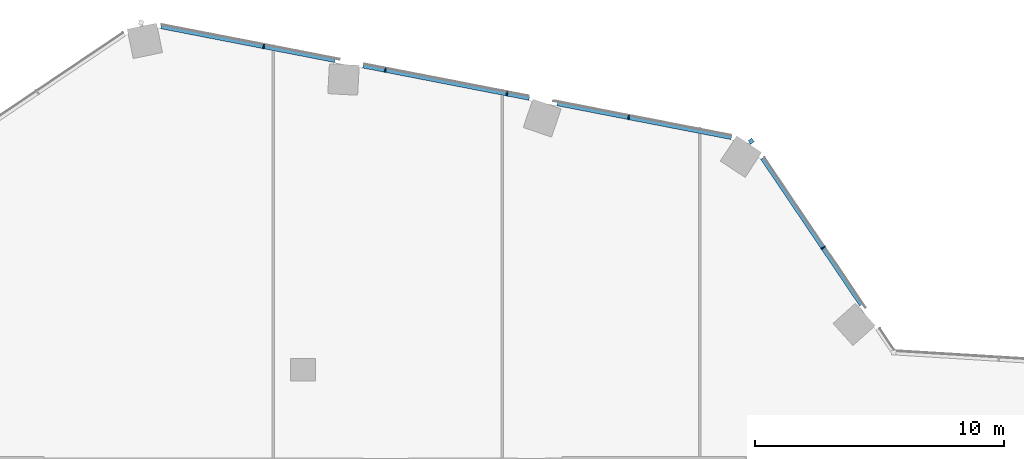
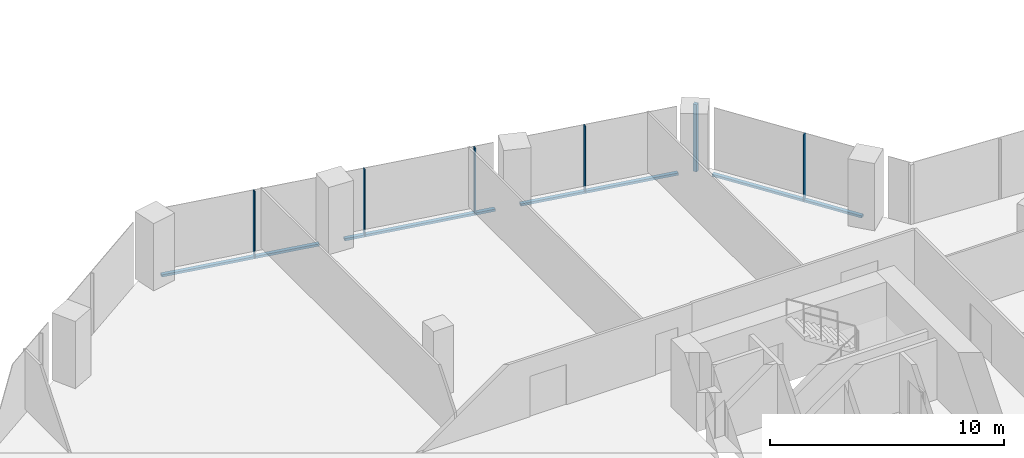
# One storey, part 12 of 26: 10 members, 2 elements without a shape of their own.
"""IFC4 building model written with IfcOpenShell, lengths in metres."""

import ifcopenshell
import ifcopenshell.guid

model = None  # the IFC model being written
_history = None  # IfcOwnerHistory: only IFC2X3 demands one
_inside = {}  # id of a spatial element -> (the spatial element, [elements in it])
_under = {}  # id of a project, library or spatial element -> (it, [spatial elements below it])
_declared = {}  # id of a project -> (the project, [libraries it declares])
_typed = {}  # id of a type object -> (the type object, [elements of that type])
_made_of = {}  # id of a material, layer set ... -> (it, [elements and type objects made of it])


def new_model(schema):
    """Start an empty IFC model of exactly this schema.

    Asked for "IFC4X3", IfcOpenShell would pick the latest addendum, in which some entities
    have other attributes; the version numbers below select the first issue.
    IFC2X3 requires an IfcOwnerHistory on every rooted entity: one is made here for all.
    """
    global model, _history
    if schema == "IFC4X3":
        model = ifcopenshell.file(schema_version=(4, 3, 0, 0))
    else:
        model = ifcopenshell.file(schema=schema)
    _inside.clear()
    _under.clear()
    _declared.clear()
    _typed.clear()
    _made_of.clear()
    _history = None
    if model.schema == "IFC2X3":
        org = make("IfcOrganization", Name="unknown")
        user = make(
            "IfcPersonAndOrganization",
            ThePerson=make("IfcPerson", FamilyName="unknown"),
            TheOrganization=org,
        )
        app = make(
            "IfcApplication",
            ApplicationDeveloper=org,
            Version="unknown",
            ApplicationFullName="unknown",
            ApplicationIdentifier="unknown",
        )
        _history = make(
            "IfcOwnerHistory",
            OwningUser=user,
            OwningApplication=app,
            ChangeAction="ADDED",
            CreationDate=0,
        )
    return model


def make(cls, **values):
    """One entity of the class cls with the attributes given. An attribute that is None is left unset."""
    return model.create_entity(
        cls, **{name: value for name, value in values.items() if value is not None}
    )


def rooted(cls, **values):
    """An entity with a GlobalId (a new one), such as an element, a storey or a relation."""
    return make(cls, GlobalId=ifcopenshell.guid.new(), OwnerHistory=_history, **values)


def si_unit(unit_type, name, prefix=None):
    """IfcSIUnit, for example si_unit("LENGTHUNIT", "METRE", prefix="MILLI")."""
    return make("IfcSIUnit", UnitType=unit_type, Prefix=prefix, Name=name)


def assignment(units):
    """IfcUnitAssignment: the units of a project."""
    return None if units is None else make("IfcUnitAssignment", Units=units)


def point(xyz):
    """IfcCartesianPoint."""
    return None if xyz is None else make("IfcCartesianPoint", Coordinates=xyz)


def direction(xyz):
    """IfcDirection."""
    return None if xyz is None else make("IfcDirection", DirectionRatios=xyz)


def frame(location, z_axis=None, x_axis=None):
    """IfcAxis2Placement3D, a coordinate frame: its origin and axes. An axis left out is left unset."""
    return make(
        "IfcAxis2Placement3D",
        Location=point(location),
        Axis=direction(z_axis),
        RefDirection=direction(x_axis),
    )


def frame_2d(location, x_axis=None):
    """IfcAxis2Placement2D, a coordinate frame in the plane: its origin and x axis."""
    return make(
        "IfcAxis2Placement2D", Location=point(location), RefDirection=direction(x_axis)
    )


def origin():
    """The frame at (0, 0, 0) with its axes left unset."""
    return frame((0.0, 0.0, 0.0))


def origin_2d():
    """The frame at (0, 0) in the plane with its x axis left unset."""
    return frame_2d((0.0, 0.0))


def place(relative_to, where):
    """IfcLocalPlacement: puts the frame where relative to a parent placement (None: the world)."""
    return make(
        "IfcLocalPlacement", PlacementRelTo=relative_to, RelativePlacement=where
    )


def context(
    kind, dimensions, precision=None, world=None, true_north=None, identifier=None
):
    """IfcGeometricRepresentationContext, for example the 3D "Model" context."""
    return make(
        "IfcGeometricRepresentationContext",
        ContextIdentifier=identifier,
        ContextType=kind,
        CoordinateSpaceDimension=dimensions,
        Precision=precision,
        WorldCoordinateSystem=world,
        TrueNorth=true_north,
    )


def subcontext(parent, identifier, kind, view, scale=None):
    """IfcGeometricRepresentationSubContext, for example "Body" below "Model"."""
    return make(
        "IfcGeometricRepresentationSubContext",
        ContextIdentifier=identifier,
        ContextType=kind,
        ParentContext=parent,
        TargetScale=scale,
        TargetView=view,
    )


def project(units=None, contexts=None):
    """IfcProject with its units and contexts."""
    return rooted(
        "IfcProject",
        Name="project",
        RepresentationContexts=contexts,
        UnitsInContext=assignment(units),
    )


def spatial(cls, under=None, at=None, **own):
    """A site, building, storey or space (cls), placed at a placement, below another one or the project."""
    s = rooted(cls, ObjectPlacement=at, **own)
    if under is not None:
        _under.setdefault(under.id(), (under, []))[1].append(s)
    return s


def profile(cls, at=None, kind="AREA", **sizes):
    """A parametric profile (cls). Its sizes go by their IFC names, for example OverallWidth=200.0."""
    return make(cls, ProfileType=kind, Position=at, **sizes)


def rectangle(**sizes):
    """IfcRectangleProfileDef."""
    return profile("IfcRectangleProfileDef", **sizes)


def extrude(swept, where, along, depth):
    """IfcExtrudedAreaSolid: the profile swept, set in the frame where, extruded along a direction by depth."""
    return make(
        "IfcExtrudedAreaSolid",
        SweptArea=swept,
        Position=where,
        ExtrudedDirection=direction(along),
        Depth=depth,
    )


def shape(context_of_items, identifier, shape_type, items):
    """IfcShapeRepresentation: the items that make up one representation, for example the "Body"."""
    return make(
        "IfcShapeRepresentation",
        ContextOfItems=context_of_items,
        RepresentationIdentifier=identifier,
        RepresentationType=shape_type,
        Items=items,
    )


def material(Name=None, Category=None):
    """IfcMaterial."""
    return make("IfcMaterial", Name=Name, Category=Category)


def material_profile(
    of_material, cross_section, Name=None, Category=None, Priority=None
):
    """IfcMaterialProfile: a cross section and its material."""
    return make(
        "IfcMaterialProfile",
        Name=Name,
        Material=of_material,
        Profile=cross_section,
        Priority=Priority,
        Category=Category,
    )


def profile_set(profiles, Name=None, composite=None):
    """IfcMaterialProfileSet."""
    return make(
        "IfcMaterialProfileSet",
        Name=Name,
        MaterialProfiles=profiles,
        CompositeProfile=composite,
    )


def made_of(thing, what):
    """Note that an element or type object is made of a material, layer set ...; save() writes the relation."""
    if what is not None:
        _made_of.setdefault(what.id(), (what, []))[1].append(thing)
    return thing


def type_object(cls, material=None, **own):
    """A type object (cls), such as IfcWallType, which elements share."""
    return made_of(rooted(cls, **own), material)


def element(
    cls,
    number,
    at=None,
    inside=None,
    cuts=None,
    type_object=None,
    material=None,
    context=None,
    identifier="Body",
    shape_type=None,
    held_by="IfcProductDefinitionShape",
    body=None,
    shapes=None,
    **own,
):
    """One element of the class cls, such as IfcWall. Its Tag is "e" and its number.

    at: its placement. inside: the storey or other place that contains it. cuts: it is an
    opening in that element (IfcRelVoidsElement). A single representation is given by context,
    identifier, shape_type and body (its items); several are given by shapes. held_by: the class
    of the entity that holds the representations. save() writes the other relations.
    """
    e = rooted(cls, Tag="e%d" % number, ObjectPlacement=at, **own)
    if body is not None:
        shapes = [shape(context, identifier, shape_type, body)]
    if shapes is not None:
        e.Representation = make(held_by, Representations=shapes)
    if inside is not None:
        _inside.setdefault(inside.id(), (inside, []))[1].append(e)
    if cuts is not None:
        rooted(
            "IfcRelVoidsElement", RelatingBuildingElement=cuts, RelatedOpeningElement=e
        )
    if type_object is not None:
        _typed.setdefault(type_object.id(), (type_object, []))[1].append(e)
    return made_of(e, material)


def aggregate(whole, parts):
    """IfcRelAggregates: a whole, such as a stair, and the parts it consists of."""
    return rooted("IfcRelAggregates", RelatingObject=whole, RelatedObjects=parts)


def save(model, path):
    """Write the relations noted so far, then the file.

    IfcRelAggregates (storeys below a building ...), IfcRelContainedInSpatialStructure (elements
    in a storey), IfcRelDefinesByType, IfcRelAssociatesMaterial and IfcRelDeclares: one each for
    every whole, place, type object, material and project.
    """
    for whole, parts in _under.values():
        aggregate(whole, parts)
    for where, things in _inside.values():
        rooted(
            "IfcRelContainedInSpatialStructure",
            RelatedElements=things,
            RelatingStructure=where,
        )
    for kind, things in _typed.values():
        rooted("IfcRelDefinesByType", RelatedObjects=things, RelatingType=kind)
    for what, things in _made_of.values():
        rooted("IfcRelAssociatesMaterial", RelatedObjects=things, RelatingMaterial=what)
    for by, libraries in _declared.values():
        rooted("IfcRelDeclares", RelatingContext=by, RelatedDefinitions=libraries)
    model.write(path)


model = new_model("IFC4")

# Units and contexts
model_context = context("Model", 3, precision=1e-05, world=origin(), true_north=direction((0.0, 1.0)))
body_context = subcontext(model_context, "Body", "Model", "MODEL_VIEW")
ifc_project = project(units=[si_unit("LENGTHUNIT", "METRE"), si_unit("AREAUNIT", "SQUARE_METRE"), si_unit("VOLUMEUNIT", "CUBIC_METRE"), si_unit("PLANEANGLEUNIT", "RADIAN"), si_unit("MASSUNIT", "GRAM", prefix="KILO")], contexts=[model_context])

# Site, building, storey
site_placement = place(None, origin())
site = spatial("IfcSite", under=ifc_project, at=site_placement, CompositionType="ELEMENT")
building_placement = place(site_placement, origin())
building = spatial("IfcBuilding", under=site, at=building_placement, Name="Orlundy Tower", CompositionType="ELEMENT")
storey_placement = place(building_placement, frame((0.0, 0.0, 156.10009765625)))
storey = spatial("IfcBuildingStorey", under=building, at=storey_placement, Name="L40", CompositionType="ELEMENT", Elevation=156.10009765625)

# Curtain wall, member
ifc_material_1 = material(Name="Aluminium bronze anodised", Category="aluminium")
curtain_wall_type = type_object("IfcCurtainWallType", Name="CW1 wall", PredefinedType="NOTDEFINED", material=ifc_material_1)
curtain_wall_1_placement = place(storey_placement, origin())
curtain_wall_1 = element("IfcCurtainWall", 1, at=curtain_wall_1_placement, inside=storey, type_object=curtain_wall_type, Name="CW1 run 05", PredefinedType="NOTDEFINED")
ifc_material_2 = material(Name="Aluminium bronze anodised", Category="aluminium")
ifc_material_profile_1 = material_profile(ifc_material_2, rectangle(XDim=0.179931640625, YDim=0.179931640625, at=origin_2d()), Name="CW1 corner post 180x180")
ifc_profile_set_1 = profile_set([ifc_material_profile_1], Name="Aluminium bronze anodised")
member_type_1 = type_object("IfcMemberType", Name="CW1 corner post 180x180", PredefinedType="MULLION", material=ifc_profile_set_1)
member_1_placement = place(storey_placement, frame((17.975830078125, 27.1591796875, -0.400146484375), z_axis=(0.0, 0.0, 1.0), x_axis=(0.829017365471, 0.559222860538, 0.0)))
member_1 = element("IfcMember", 2, at=member_1_placement, type_object=member_type_1, Name="CW1 mullion 24", PredefinedType="MULLION", context=body_context, shape_type="SweptSolid", body=[
    extrude(rectangle(XDim=0.179931640625, YDim=0.179931640625, at=origin_2d()), origin(), (0.0, 0.0, 1.0), 3.5),
])

# Curtain wall, members
curtain_wall_2_placement = place(storey_placement, origin())
curtain_wall_2 = element("IfcCurtainWall", 3, at=curtain_wall_2_placement, inside=storey, type_object=curtain_wall_type, Name="CW1 run 04", PredefinedType="NOTDEFINED")
ifc_material_3 = material(Name="Aluminium bronze anodised", Category="aluminium")
ifc_material_profile_2 = material_profile(ifc_material_3, rectangle(XDim=0.179931640625, YDim=0.050048828125, at=origin_2d()), Name="CW1 mullion 50x180")
ifc_profile_set_2 = profile_set([ifc_material_profile_2], Name="Aluminium bronze anodised")
member_type_2 = type_object("IfcMemberType", Name="CW1 mullion 50x180", PredefinedType="MULLION", material=ifc_profile_set_2)
member_2_placement = place(storey_placement, frame((-1.57763671875, 30.9599609375, -0.400146484375), z_axis=(0.0, 0.0, 1.0), x_axis=(0.19080503976, 0.981627952333, 0.0)))
member_2 = element("IfcMember", 4, at=member_2_placement, type_object=member_type_2, Name="CW1 mullion 20", PredefinedType="MULLION", context=body_context, shape_type="SweptSolid", body=[
    extrude(rectangle(XDim=0.179931640625, YDim=0.050048828125, at=origin_2d()), origin(), (0.0, 0.0, 1.0), 3.5),
])
member_3_placement = place(storey_placement, frame((3.301513671875, 30.011474609375, -0.400146484375), z_axis=(0.0, 0.0, 1.0), x_axis=(0.19080503976, 0.981627952333, 0.0)))
member_3 = element("IfcMember", 5, at=member_3_placement, type_object=member_type_2, Name="CW1 mullion 21", PredefinedType="MULLION", context=body_context, shape_type="SweptSolid", body=[
    extrude(rectangle(XDim=0.179931640625, YDim=0.050048828125, at=origin_2d()), origin(), (0.0, 0.0, 1.0), 3.5),
])
member_4_placement = place(storey_placement, frame((8.1806640625, 29.063232421875, -0.400146484375), z_axis=(0.0, 0.0, 1.0), x_axis=(0.19080503976, 0.981627952333, 0.0)))
member_4 = element("IfcMember", 6, at=member_4_placement, type_object=member_type_2, Name="CW1 mullion 22", PredefinedType="MULLION", context=body_context, shape_type="SweptSolid", body=[
    extrude(rectangle(XDim=0.179931640625, YDim=0.050048828125, at=origin_2d()), origin(), (0.0, 0.0, 1.0), 3.5),
])
member_5_placement = place(storey_placement, frame((13.06005859375, 28.11474609375, -0.400146484375), z_axis=(0.0, 0.0, 1.0), x_axis=(0.19080503976, 0.981627952333, 0.0)))
member_5 = element("IfcMember", 7, at=member_5_placement, type_object=member_type_2, Name="CW1 mullion 23", PredefinedType="MULLION", context=body_context, shape_type="SweptSolid", body=[
    extrude(rectangle(XDim=0.179931640625, YDim=0.050048828125, at=origin_2d()), origin(), (0.0, 0.0, 1.0), 3.5),
])

# Member
member_6_placement = place(storey_placement, frame((20.859130859375, 22.884765625, -0.400146484375), z_axis=(0.0, 0.0, 1.0), x_axis=(0.829017365471, 0.559222860538, 0.0)))
member_6 = element("IfcMember", 8, at=member_6_placement, type_object=member_type_2, Name="CW1 mullion 25", PredefinedType="MULLION", context=body_context, shape_type="SweptSolid", body=[
    extrude(rectangle(XDim=0.179931640625, YDim=0.050048828125, at=origin_2d()), origin(), (0.0, 0.0, 1.0), 3.5),
])

ifc_material_4 = material(Name="Aluminium bronze anodised", Category="aluminium")
ifc_material_profile_3 = material_profile(ifc_material_4, rectangle(XDim=0.179931640625, YDim=0.1201171875, at=origin_2d()), Name="CW1 transom 180x120")
ifc_profile_set_3 = profile_set([ifc_material_profile_3], Name="Aluminium bronze anodised")
member_type_3 = type_object("IfcMemberType", Name="CW1 transom 180x120", PredefinedType="USERDEFINED", material=ifc_profile_set_3)
member_7_placement = place(storey_placement, frame((-5.696044921875, 31.760498046875, -0.340087890625), z_axis=(0.981625574839, -0.190817270766, 0.0), x_axis=(0.190817270766, 0.981625574839, 0.0)))
member_7 = element("IfcMember", 9, at=member_7_placement, type_object=member_type_3, Name="CW1 transom", ObjectType="TRANSOM", PredefinedType="USERDEFINED", context=body_context, shape_type="SweptSolid", body=[
    extrude(rectangle(XDim=0.179931640625, YDim=0.1201171875, at=origin_2d()), origin(), (0.0, 0.0, 1.0), 7.10986328125),
])

member_8_placement = place(storey_placement, frame((2.406494140625, 30.185546875, -0.340087890625), z_axis=(0.981629038684, -0.190799450764, 0.0), x_axis=(0.190799450764, 0.981629038684, 0.0)))
member_8 = element("IfcMember", 10, at=member_8_placement, type_object=member_type_3, Name="CW1 transom", ObjectType="TRANSOM", PredefinedType="USERDEFINED", context=body_context, shape_type="SweptSolid", body=[
    extrude(rectangle(XDim=0.179931640625, YDim=0.1201171875, at=origin_2d()), origin(), (0.0, 0.0, 1.0), 6.79443359375),
])

member_9_placement = place(storey_placement, frame((10.19921875, 28.6708984375, -0.340087890625), z_axis=(0.981624144272, -0.190824629914, 0.0), x_axis=(0.190824629914, 0.981624144272, 0.0)))
member_9 = element("IfcMember", 11, at=member_9_placement, type_object=member_type_3, Name="CW1 transom", ObjectType="TRANSOM", PredefinedType="USERDEFINED", context=body_context, shape_type="SweptSolid", body=[
    extrude(rectangle(XDim=0.179931640625, YDim=0.1201171875, at=origin_2d()), origin(), (0.0, 0.0, 1.0), 7.11083984375),
])

aggregate(curtain_wall_2, [member_2, member_3, member_4, member_5, member_7, member_8, member_9])

member_10_placement = place(storey_placement, frame((18.43017578125, 26.485595703125, -0.340087890625), z_axis=(0.559228465587, -0.829013584495, 0.0), x_axis=(0.829013584495, 0.559228465587, 0.0)))
member_10 = element("IfcMember", 12, at=member_10_placement, type_object=member_type_3, Name="CW1 transom", ObjectType="TRANSOM", PredefinedType="USERDEFINED", context=body_context, shape_type="SweptSolid", body=[
    extrude(rectangle(XDim=0.179931640625, YDim=0.1201171875, at=origin_2d()), origin(), (0.0, 0.0, 1.0), 7.103759765625),
])

aggregate(curtain_wall_1, [member_1, member_6, member_10])

save(model, "model.ifc")
